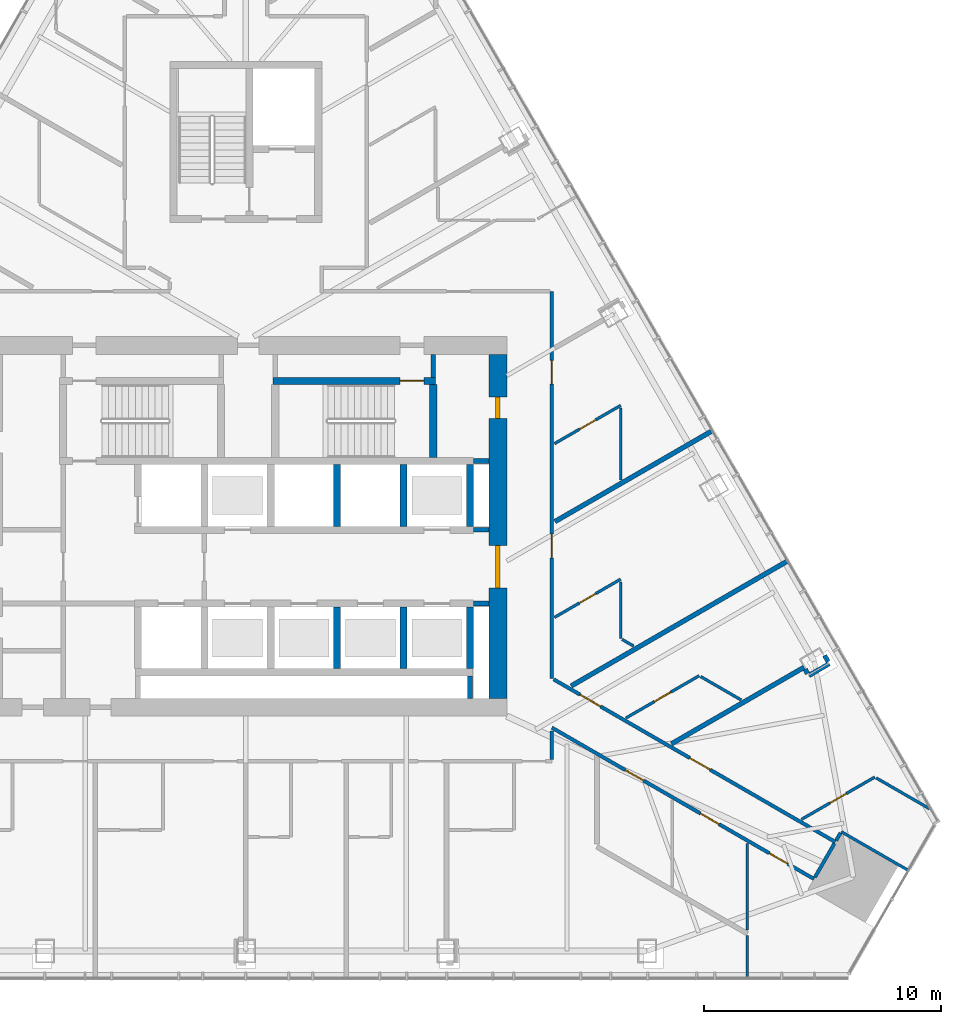
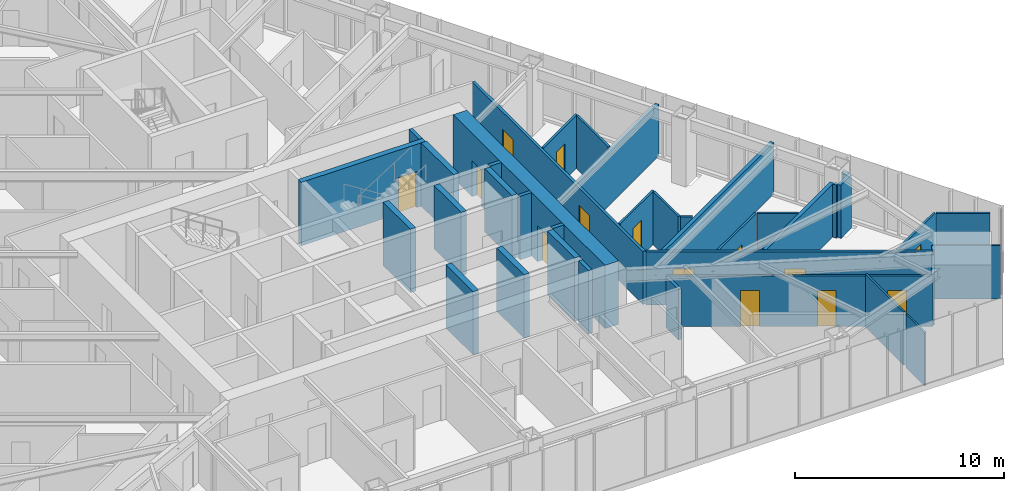
# One storey, part 15 of 19: 38 walls, 14 doors, 14 openings.
"""IFC4 building model written with IfcOpenShell, lengths in metres."""

from ifc_helpers import new_model, si_unit, direction, frame, frame_2d, origin, place, context, subcontext, project, spatial, rectangle, extrude, material, layer, layer_set, type_object, element, fill, save


model = new_model("IFC4")

# Units and contexts
model_context = context("Model", 3, precision=1e-05, world=origin(), true_north=direction((0.0, 1.0)))
body_context = subcontext(model_context, "Body", "Model", "MODEL_VIEW")
ifc_project = project(units=[si_unit("LENGTHUNIT", "METRE"), si_unit("AREAUNIT", "SQUARE_METRE"), si_unit("VOLUMEUNIT", "CUBIC_METRE"), si_unit("PLANEANGLEUNIT", "RADIAN"), si_unit("MASSUNIT", "GRAM", prefix="KILO")], contexts=[model_context])

# Site, building, storey
site_placement = place(None, origin())
site = spatial("IfcSite", under=ifc_project, at=site_placement, CompositionType="ELEMENT")
building_placement = place(site_placement, origin())
building = spatial("IfcBuilding", under=site, at=building_placement, Name="Firuza Gate Tower and Library", CompositionType="ELEMENT")
storey_placement = place(building_placement, frame((0.0, 0.0, 210.39990234375)))
storey = spatial("IfcBuildingStorey", under=building, at=storey_placement, Name="L49", CompositionType="ELEMENT", Elevation=210.39990234375)

# Walls
ifc_material_1 = material(Name="Plasterboard on steel studs", Category="steel")
ifc_layer_1 = layer(ifc_material_1, 0.199951171875)
ifc_layer_set_1 = layer_set([ifc_layer_1], Name="Core partition 200 EI 120")
wall_type_1 = type_object("IfcWallType", Name="Core partition 200 EI 120", PredefinedType="PARTITIONING", material=ifc_layer_set_1)
for number, where, z_axis, x_axis, name in (
    (1, (84.60009765625, 71.75, 0.0), (0.0, 0.0, 1.0), (1.0, 0.0, 0.0), "Core partition L49 3"),
    (2, (84.60009765625, 74.85009765625, 0.0), (0.0, 0.0, 1.0), (1.0, 0.0, 0.0), "Core partition L49 5"),
    (3, (84.60009765625, 77.75, 0.0), (0.0, 0.0, 1.0), (1.0, 0.0, 0.0), "Core partition L49 6"),
):
    element("IfcWall", number, at=place(storey_placement, frame(where, z_axis=z_axis, x_axis=x_axis)), inside=storey, type_object=wall_type_1, Name=name, PredefinedType="PARTITIONING", context=body_context, shape_type="SweptSolid", body=[
        extrude(rectangle(XDim=0.64990234375, YDim=0.199951171875, at=frame_2d((0.324951171875, 0.0))), origin(), (0.0, 0.0, 1.0), 3.7001953125),
    ])
wall_1_placement = place(storey_placement, frame((84.449951171875, 67.75, 0.0), z_axis=(0.0, 0.0, 1.0), x_axis=(0.0, 1.0, 0.0)))
element("IfcWall", 4, at=wall_1_placement, inside=storey, type_object=wall_type_1, Name="Core partition L49 15", PredefinedType="PARTITIONING", context=body_context, shape_type="SweptSolid", body=[
    extrude(rectangle(XDim=0.949951171875, YDim=0.199951171875, at=frame_2d((0.47509765625, 0.0))), origin(), (0.0, 0.0, 1.0), 3.7001953125),
])
ifc_material_2 = material(Name="Plasterboard on steel studs", Category="steel")
ifc_layer_2 = layer(ifc_material_2, 0.199951171875)
ifc_layer_set_2 = layer_set([ifc_layer_2], Name="Core partition 200 EI 60")
wall_type_2 = type_object("IfcWallType", Name="Core partition 200 EI 60", PredefinedType="PARTITIONING", material=ifc_layer_set_2)
wall_2_placement = place(storey_placement, frame((82.89990234375, 81.280029296875, 0.0), z_axis=(0.0, 0.0, 1.0), x_axis=(0.0, 1.0, 0.0)))
element("IfcWall", 5, at=wall_2_placement, inside=storey, type_object=wall_type_2, Name="Core partition L49 14", PredefinedType="PARTITIONING", context=body_context, shape_type="SweptSolid", body=[
    extrude(rectangle(XDim=0.969970703125, YDim=0.199951171875, at=frame_2d((0.48486328125, 0.0))), origin(), (0.0, 0.0, 1.0), 3.7001953125),
])
ifc_material_3 = material(Name="Concrete C80/95", Category="concrete")
ifc_layer_3 = layer(ifc_material_3, 0.300048828125)
ifc_layer_set_3 = layer_set([ifc_layer_3], Name="Core wall 300 C80/95")
wall_type_3 = type_object("IfcWallType", Name="Core wall 300 C80/95", PredefinedType="SHEAR", material=ifc_layer_set_3)
for number, where, z_axis, x_axis, name in (
    (6, (78.85009765625, 69.0, 0.0), (0.0, 0.0, 1.0), (0.0, 1.0, 0.0), "Core wall L49 14"),
    (7, (78.85009765625, 75.0, 0.0), (0.0, 0.0, 1.0), (0.0, 1.0, 0.0), "Core wall L49 15"),
    (8, (81.64990234375, 69.0, 0.0), (0.0, 0.0, 1.0), (0.0, 1.0, 0.0), "Core wall L49 16"),
    (9, (81.64990234375, 75.0, 0.0), (0.0, 0.0, 1.0), (0.0, 1.0, 0.0), "Core wall L49 17"),
    (10, (84.449951171875, 69.0, 0.0), (0.0, 0.0, 1.0), (0.0, 1.0, 0.0), "Core wall L49 18"),
    (11, (84.449951171875, 75.0, 0.0), (0.0, 0.0, 1.0), (0.0, 1.0, 0.0), "Core wall L49 19"),
):
    element("IfcWall", number, at=place(storey_placement, frame(where, z_axis=z_axis, x_axis=x_axis)), inside=storey, type_object=wall_type_3, Name=name, PredefinedType="SHEAR", context=body_context, shape_type="SweptSolid", body=[
        extrude(rectangle(XDim=2.60009765625, YDim=0.300048828125, at=frame_2d((1.300048828125, 0.0))), origin(), (0.0, 0.0, 1.0), 3.7001953125),
    ])

# Wall, opening, door
wall_3_placement = place(storey_placement, frame((76.139892578125, 81.1298828125, 0.0), z_axis=(0.0, 0.0, 1.0), x_axis=(1.0, 0.0, 0.0)))
wall_3 = element("IfcWall", 12, at=wall_3_placement, inside=storey, type_object=wall_type_3, Name="Core wall L49 22", PredefinedType="SHEAR", context=body_context, shape_type="SweptSolid", body=[
    extrude(rectangle(XDim=6.860107421875, YDim=0.300048828125, at=frame_2d((3.43017578125, 0.0))), origin(), (0.0, 0.0, 1.0), 3.7001953125),
])
opening_1_placement = place(wall_3_placement, frame((5.364990234375, 0.0, 0.0)))
opening_1 = element("IfcOpeningElement", 13, at=opening_1_placement, cuts=wall_3, Name="Opening L49-K13", PredefinedType="OPENING", context=body_context, shape_type="SweptSolid", body=[
    extrude(rectangle(XDim=1.0, YDim=2.10009765625, at=frame_2d((0.5, 1.050048828125))), frame((0.0, 0.16015625, 0.0), z_axis=(0.0, -1.0, 0.0), x_axis=(1.0, 0.0, 0.0)), (0.0, 0.0, 1.0), 0.320068359375),
])
ifc_material_4 = material(Name="Steel", Category="steel")
door_type_1 = type_object("IfcDoorType", Name="Fire door 1000x2100 FD90", OperationType="NOTDEFINED", PredefinedType="DOOR", material=ifc_material_4)
door_1_placement = place(opening_1_placement, origin())
door_1 = element("IfcDoor", 14, at=door_1_placement, inside=storey, type_object=door_type_1, Name="Door L49-K13", OperationType="SINGLE_SWING_RIGHT", OverallHeight=2.10009765625, OverallWidth=1.0, PredefinedType="DOOR", context=body_context, shape_type="SweptSolid", body=[
    extrude(rectangle(XDim=1.0, YDim=2.10009765625, at=frame_2d((0.5, 1.050048828125))), frame((0.0, 0.02490234375, 0.0), z_axis=(0.0, -1.0, 0.0), x_axis=(1.0, 0.0, 0.0)), (0.0, 0.0, 1.0), 0.050048828125),
])
fill(opening_1, door_1)

# Wall
wall_4_placement = place(storey_placement, frame((82.89990234375, 77.89990234375, 0.0), z_axis=(0.0, 0.0, 1.0), x_axis=(0.0, 1.0, 0.0)))
element("IfcWall", 15, at=wall_4_placement, inside=storey, type_object=wall_type_3, Name="Core wall L49 26", PredefinedType="SHEAR", context=body_context, shape_type="SweptSolid", body=[
    extrude(rectangle(XDim=3.080078125, YDim=0.300048828125, at=frame_2d((1.5400390625, 0.0))), origin(), (0.0, 0.0, 1.0), 3.7001953125),
])

# Wall, openings, doors
ifc_material_5 = material(Name="Concrete C80/95", Category="concrete")
ifc_layer_4 = layer(ifc_material_5, 0.75)
ifc_layer_set_4 = layer_set([ifc_layer_4], Name="Core wall 750 C80/95")
wall_type_4 = type_object("IfcWallType", Name="Core wall 750 C80/95", PredefinedType="SHEAR", material=ifc_layer_set_4)
wall_5_placement = place(storey_placement, frame((85.625, 67.75, 0.0), z_axis=(0.0, 0.0, 1.0), x_axis=(0.0, 1.0, 0.0)))
wall_5 = element("IfcWall", 16, at=wall_5_placement, inside=storey, type_object=wall_type_4, Name="Core wall L49 4", PredefinedType="SHEAR", context=body_context, shape_type="SweptSolid", body=[
    extrude(rectangle(XDim=14.5, YDim=0.75, at=frame_2d((7.25, 0.0))), origin(), (0.0, 0.0, 1.0), 3.7001953125),
])
opening_2_placement = place(wall_5_placement, frame((4.64990234375, 0.0, 0.0)))
opening_2 = element("IfcOpeningElement", 17, at=opening_2_placement, cuts=wall_5, Name="Opening L49-K21", PredefinedType="OPENING", context=body_context, shape_type="SweptSolid", body=[
    extrude(rectangle(XDim=1.800048828125, YDim=2.10009765625, at=frame_2d((0.89990234375, 1.050048828125))), frame((0.0, 0.385009765625, 0.0), z_axis=(0.0, -1.0, 0.0), x_axis=(1.0, 0.0, 0.0)), (0.0, 0.0, 1.0), 0.77001953125),
])
opening_3_placement = place(wall_5_placement, frame((11.800048828125, 0.0, 0.0)))
opening_3 = element("IfcOpeningElement", 18, at=opening_3_placement, cuts=wall_5, Name="Opening L49-K27", PredefinedType="OPENING", context=body_context, shape_type="SweptSolid", body=[
    extrude(rectangle(XDim=0.89990234375, YDim=2.10009765625, at=frame_2d((0.449951171875, 1.050048828125))), frame((0.0, 0.385009765625, 0.0), z_axis=(0.0, -1.0, 0.0), x_axis=(1.0, 0.0, 0.0)), (0.0, 0.0, 1.0), 0.77001953125),
])
ifc_material_6 = material(Name="Steel", Category="steel")
door_type_2 = type_object("IfcDoorType", Name="Fire door 1800x2100 FD30S", OperationType="NOTDEFINED", PredefinedType="DOOR", material=ifc_material_6)
door_2_placement = place(opening_2_placement, origin())
door_2 = element("IfcDoor", 19, at=door_2_placement, inside=storey, type_object=door_type_2, Name="Door L49-K21", OperationType="SINGLE_SWING_RIGHT", OverallHeight=2.10009765625, OverallWidth=1.800048828125, PredefinedType="DOOR", context=body_context, shape_type="SweptSolid", body=[
    extrude(rectangle(XDim=1.800048828125, YDim=2.10009765625, at=frame_2d((0.89990234375, 1.050048828125))), frame((0.0, 0.094970703125, 0.0), z_axis=(0.0, -1.0, 0.0), x_axis=(1.0, 0.0, 0.0)), (0.0, 0.0, 1.0), 0.18994140625),
])
fill(opening_2, door_2)
ifc_material_7 = material(Name="Steel", Category="steel")
door_type_3 = type_object("IfcDoorType", Name="Fire door 900x2100 FD30S", OperationType="NOTDEFINED", PredefinedType="DOOR", material=ifc_material_7)
door_3_placement = place(opening_3_placement, origin())
door_3 = element("IfcDoor", 20, at=door_3_placement, inside=storey, type_object=door_type_3, Name="Door L49-K27", OperationType="SINGLE_SWING_RIGHT", OverallHeight=2.10009765625, OverallWidth=0.89990234375, PredefinedType="DOOR", context=body_context, shape_type="SweptSolid", body=[
    extrude(rectangle(XDim=0.89990234375, YDim=2.10009765625, at=frame_2d((0.449951171875, 1.050048828125))), frame((0.0, 0.094970703125, 0.0), z_axis=(0.0, -1.0, 0.0), x_axis=(1.0, 0.0, 0.0)), (0.0, 0.0, 1.0), 0.18994140625),
])
fill(opening_3, door_3)

# Walls
ifc_material_8 = material(Name="Gypsum board partition")
ifc_layer_5 = layer(ifc_material_8, 0.14990234375)
ifc_layer_set_5 = layer_set([ifc_layer_5], Name="Corridor wall 150 double board on steel studs")
wall_type_5 = type_object("IfcWallType", Name="Corridor wall 150 double board on steel studs", PredefinedType="PARTITIONING", material=ifc_layer_set_5)
wall_6_placement = place(storey_placement, frame((98.98388671875, 60.200927734375, 0.0), z_axis=(0.0, 0.0, 1.0), x_axis=(0.499991515992, 0.866030301974, 0.0)))
element("IfcWall", 21, at=wall_6_placement, inside=storey, type_object=wall_type_5, Name="f:L49:w043", PredefinedType="PARTITIONING", context=body_context, shape_type="SweptSolid", body=[
    extrude(rectangle(XDim=1.6494140625, YDim=0.14990234375, at=frame_2d((0.82470703125, 0.0))), origin(), (0.0, 0.0, 1.0), 2.947021484375),
])
wall_7_placement = place(storey_placement, frame((87.89990234375, 65.175537109375, 0.0), z_axis=(0.0, 0.0, 1.0), x_axis=(0.0, 1.0, 0.0)))
element("IfcWall", 22, at=wall_7_placement, inside=storey, type_object=wall_type_5, Name="f:L49:w054", PredefinedType="PARTITIONING", context=body_context, shape_type="SweptSolid", body=[
    extrude(rectangle(XDim=1.20068359375, YDim=0.14990234375, at=frame_2d((0.600341796875, 0.0))), origin(), (0.0, 0.0, 1.0), 2.947021484375),
])

# Wall, openings, doors
wall_8_placement = place(storey_placement, frame((87.89990234375, 84.89990234375, 0.0), z_axis=(0.0, 0.0, 1.0), x_axis=(0.0, -1.0, 0.0)))
wall_8 = element("IfcWall", 23, at=wall_8_placement, inside=storey, type_object=wall_type_5, Name="f:L49:w055", PredefinedType="PARTITIONING", context=body_context, shape_type="SweptSolid", body=[
    extrude(rectangle(XDim=16.30859375, YDim=0.14990234375, at=frame_2d((8.154296875, 0.0))), origin(), (0.0, 0.0, 1.0), 3.10009765625),
])
opening_4_placement = place(wall_8_placement, frame((2.90380859375, 0.0, 0.0)))
opening_4 = element("IfcOpeningElement", 24, at=opening_4_placement, cuts=wall_8, Name="Opening L49-30", PredefinedType="OPENING", context=body_context, shape_type="SweptSolid", body=[
    extrude(rectangle(XDim=1.0, YDim=2.10009765625, at=frame_2d((0.5, 1.050048828125))), frame((0.0, 0.0849609375, 0.0), z_axis=(0.0, -1.0, 0.0), x_axis=(1.0, 0.0, 0.0)), (0.0, 0.0, 1.0), 0.169921875),
])
opening_5_placement = place(wall_8_placement, frame((10.2265625, 0.0, 0.0)))
opening_5 = element("IfcOpeningElement", 25, at=opening_5_placement, cuts=wall_8, Name="Opening L49-31", PredefinedType="OPENING", context=body_context, shape_type="SweptSolid", body=[
    extrude(rectangle(XDim=1.0, YDim=2.10009765625, at=frame_2d((0.5, 1.050048828125))), frame((0.0, 0.0849609375, 0.0), z_axis=(0.0, -1.0, 0.0), x_axis=(1.0, 0.0, 0.0)), (0.0, 0.0, 1.0), 0.169921875),
])
ifc_material_9 = material(Name="Steel door and timber leaf", Category="steel")
door_type_4 = type_object("IfcDoorType", Name="Fire door 1000 x 2100 steel frame, timber leaf", OperationType="NOTDEFINED", PredefinedType="DOOR", material=ifc_material_9)
door_4_placement = place(opening_4_placement, origin())
door_4 = element("IfcDoor", 26, at=door_4_placement, inside=storey, type_object=door_type_4, Name="f:L49:d030", OperationType="SINGLE_SWING_LEFT", OverallHeight=2.10009765625, OverallWidth=1.0, PredefinedType="DOOR", context=body_context, shape_type="SweptSolid", body=[
    extrude(rectangle(XDim=1.0, YDim=2.10009765625, at=frame_2d((0.5, 1.050048828125))), frame((0.0, 0.02490234375, 0.0), z_axis=(0.0, -1.0, 0.0), x_axis=(1.0, 0.0, 0.0)), (0.0, 0.0, 1.0), 0.050048828125),
])
fill(opening_4, door_4)
door_5_placement = place(opening_5_placement, origin())
door_5 = element("IfcDoor", 27, at=door_5_placement, inside=storey, type_object=door_type_4, Name="f:L49:d031", OperationType="SINGLE_SWING_LEFT", OverallHeight=2.10009765625, OverallWidth=1.0, PredefinedType="DOOR", context=body_context, shape_type="SweptSolid", body=[
    extrude(rectangle(XDim=1.0, YDim=2.10009765625, at=frame_2d((0.5, 1.050048828125))), frame((0.0, 0.02490234375, 0.0), z_axis=(0.0, -1.0, 0.0), x_axis=(1.0, 0.0, 0.0)), (0.0, 0.0, 1.0), 0.050048828125),
])
fill(opening_5, door_5)

wall_9_placement = place(storey_placement, frame((87.97509765625, 68.548095703125, 0.0), z_axis=(0.0, 0.0, 1.0), x_axis=(0.866024823711, -0.500001004715, 0.0)))
wall_9 = element("IfcWall", 28, at=wall_9_placement, inside=storey, type_object=wall_type_5, Name="f:L49:w107", PredefinedType="PARTITIONING", context=body_context, shape_type="SweptSolid", body=[
    extrude(rectangle(XDim=13.70703125, YDim=0.14990234375, at=frame_2d((6.853515625, 0.0))), origin(), (0.0, 0.0, 1.0), 3.10009765625),
])
opening_6_placement = place(wall_9_placement, frame((1.28271484375, 0.0, 0.0)))
opening_6 = element("IfcOpeningElement", 29, at=opening_6_placement, cuts=wall_9, Name="Opening L49-43", PredefinedType="OPENING", context=body_context, shape_type="SweptSolid", body=[
    extrude(rectangle(XDim=1.0, YDim=2.10009765625, at=frame_2d((0.5, 1.050048828125))), frame((0.0, 0.0849609375, 0.0), z_axis=(0.0, -1.0, 0.0), x_axis=(1.0, 0.0, 0.0)), (0.0, 0.0, 1.0), 0.169921875),
])
opening_7_placement = place(wall_9_placement, frame((6.620361328125, 0.0, 0.0)))
opening_7 = element("IfcOpeningElement", 30, at=opening_7_placement, cuts=wall_9, Name="Opening L49-44", PredefinedType="OPENING", context=body_context, shape_type="SweptSolid", body=[
    extrude(rectangle(XDim=1.0, YDim=2.10009765625, at=frame_2d((0.5, 1.050048828125))), frame((0.0, 0.0849609375, 0.0), z_axis=(0.0, -1.0, 0.0), x_axis=(1.0, 0.0, 0.0)), (0.0, 0.0, 1.0), 0.169921875),
])
door_6_placement = place(opening_6_placement, origin())
door_6 = element("IfcDoor", 31, at=door_6_placement, inside=storey, type_object=door_type_4, Name="f:L49:d043", OperationType="SINGLE_SWING_LEFT", OverallHeight=2.10009765625, OverallWidth=1.0, PredefinedType="DOOR", context=body_context, shape_type="SweptSolid", body=[
    extrude(rectangle(XDim=1.0, YDim=2.10009765625, at=frame_2d((0.5, 1.050048828125))), frame((0.0, 0.02490234375, 0.0), z_axis=(0.0, -1.0, 0.0), x_axis=(1.0, 0.0, 0.0)), (0.0, 0.0, 1.0), 0.050048828125),
])
fill(opening_6, door_6)
door_7_placement = place(opening_7_placement, origin())
door_7 = element("IfcDoor", 32, at=door_7_placement, inside=storey, type_object=door_type_4, Name="f:L49:d044", OperationType="SINGLE_SWING_LEFT", OverallHeight=2.10009765625, OverallWidth=1.0, PredefinedType="DOOR", context=body_context, shape_type="SweptSolid", body=[
    extrude(rectangle(XDim=1.0, YDim=2.10009765625, at=frame_2d((0.5, 1.050048828125))), frame((0.0, 0.02490234375, 0.0), z_axis=(0.0, -1.0, 0.0), x_axis=(1.0, 0.0, 0.0)), (0.0, 0.0, 1.0), 0.050048828125),
])
fill(opening_7, door_7)

wall_10_placement = place(storey_placement, frame((98.9453125, 60.135986328125, 0.0), z_axis=(0.0, 0.0, 1.0), x_axis=(-0.866024604137, 0.500001385028, 0.0)))
wall_10 = element("IfcWall", 33, at=wall_10_placement, inside=storey, type_object=wall_type_5, Name="f:L49:w108", PredefinedType="PARTITIONING", context=body_context, shape_type="SweptSolid", body=[
    extrude(rectangle(XDim=12.75390625, YDim=0.14990234375, at=frame_2d((6.376953125, 0.0))), origin(), (0.0, 0.0, 1.0), 2.947021484375),
])
opening_8_placement = place(wall_10_placement, frame((1.271484375, 0.0, 0.0)))
opening_8 = element("IfcOpeningElement", 34, at=opening_8_placement, cuts=wall_10, Name="Opening L49-45", PredefinedType="OPENING", context=body_context, shape_type="SweptSolid", body=[
    extrude(rectangle(XDim=0.89990234375, YDim=2.10009765625, at=frame_2d((0.449951171875, 1.050048828125))), frame((0.0, 0.0849609375, 0.0), z_axis=(0.0, -1.0, 0.0), x_axis=(1.0, 0.0, 0.0)), (0.0, 0.0, 1.0), 0.169921875),
])
opening_9_placement = place(wall_10_placement, frame((4.62060546875, 0.0, 0.0)))
opening_9 = element("IfcOpeningElement", 35, at=opening_9_placement, cuts=wall_10, Name="Opening L49-46", PredefinedType="OPENING", context=body_context, shape_type="SweptSolid", body=[
    extrude(rectangle(XDim=0.89990234375, YDim=2.10009765625, at=frame_2d((0.449951171875, 1.050048828125))), frame((0.0, 0.0849609375, 0.0), z_axis=(0.0, -1.0, 0.0), x_axis=(1.0, 0.0, 0.0)), (0.0, 0.0, 1.0), 0.169921875),
])
opening_10_placement = place(wall_10_placement, frame((8.281982421875, 0.0, 0.0)))
opening_10 = element("IfcOpeningElement", 36, at=opening_10_placement, cuts=wall_10, Name="Opening L49-47", PredefinedType="OPENING", context=body_context, shape_type="SweptSolid", body=[
    extrude(rectangle(XDim=0.89990234375, YDim=2.10009765625, at=frame_2d((0.449951171875, 1.050048828125))), frame((0.0, 0.0849609375, 0.0), z_axis=(0.0, -1.0, 0.0), x_axis=(1.0, 0.0, 0.0)), (0.0, 0.0, 1.0), 0.169921875),
])
ifc_material_10 = material(Name="Steel door and timber leaf", Category="steel")
door_type_5 = type_object("IfcDoorType", Name="Fire door 900 x 2100 steel frame, timber leaf", OperationType="NOTDEFINED", PredefinedType="DOOR", material=ifc_material_10)
door_8_placement = place(opening_8_placement, origin())
door_8 = element("IfcDoor", 37, at=door_8_placement, inside=storey, type_object=door_type_5, Name="f:L49:d045", OperationType="SINGLE_SWING_LEFT", OverallHeight=2.10009765625, OverallWidth=0.89990234375, PredefinedType="DOOR", context=body_context, shape_type="SweptSolid", body=[
    extrude(rectangle(XDim=0.89990234375, YDim=2.10009765625, at=frame_2d((0.449951171875, 1.050048828125))), frame((0.0, 0.02490234375, 0.0), z_axis=(0.0, -1.0, 0.0), x_axis=(1.0, 0.0, 0.0)), (0.0, 0.0, 1.0), 0.050048828125),
])
fill(opening_8, door_8)
door_9_placement = place(opening_9_placement, origin())
door_9 = element("IfcDoor", 38, at=door_9_placement, inside=storey, type_object=door_type_5, Name="f:L49:d046", OperationType="SINGLE_SWING_RIGHT", OverallHeight=2.10009765625, OverallWidth=0.89990234375, PredefinedType="DOOR", context=body_context, shape_type="SweptSolid", body=[
    extrude(rectangle(XDim=0.89990234375, YDim=2.10009765625, at=frame_2d((0.449951171875, 1.050048828125))), frame((0.0, 0.02490234375, 0.0), z_axis=(0.0, -1.0, 0.0), x_axis=(1.0, 0.0, 0.0)), (0.0, 0.0, 1.0), 0.050048828125),
])
fill(opening_9, door_9)
door_10_placement = place(opening_10_placement, origin())
door_10 = element("IfcDoor", 39, at=door_10_placement, inside=storey, type_object=door_type_5, Name="f:L49:d047", OperationType="SINGLE_SWING_LEFT", OverallHeight=2.10009765625, OverallWidth=0.89990234375, PredefinedType="DOOR", context=body_context, shape_type="SweptSolid", body=[
    extrude(rectangle(XDim=0.89990234375, YDim=2.10009765625, at=frame_2d((0.449951171875, 1.050048828125))), frame((0.0, 0.02490234375, 0.0), z_axis=(0.0, -1.0, 0.0), x_axis=(1.0, 0.0, 0.0)), (0.0, 0.0, 1.0), 0.050048828125),
])
fill(opening_10, door_10)

# Walls
wall_11_placement = place(storey_placement, frame((99.883544921875, 61.759521484375, 0.0), z_axis=(0.0, 0.0, 1.0), x_axis=(0.500031897912, 0.866006986733, 0.0)))
element("IfcWall", 40, at=wall_11_placement, inside=storey, type_object=wall_type_5, Name="f:L49:w122", PredefinedType="PARTITIONING", context=body_context, shape_type="SweptSolid", body=[
    extrude(rectangle(XDim=0.3642578125, YDim=0.14990234375, at=frame_2d((0.18212890625, 0.0))), origin(), (0.0, 0.0, 1.0), 3.10009765625),
])
ifc_material_11 = material(Name="Gypsum board partition")
ifc_layer_6 = layer(ifc_material_11, 0.199951171875)
ifc_layer_set_6 = layer_set([ifc_layer_6], Name="Demising wall 200 acoustic double stud")
wall_type_6 = type_object("IfcWallType", Name="Demising wall 200 acoustic double stud", PredefinedType="PARTITIONING", material=ifc_layer_set_6)
wall_12_placement = place(storey_placement, frame((98.72705078125, 68.7099609375, 0.0), z_axis=(0.0, 0.0, 1.0), x_axis=(0.866083827272, 0.499898793895, 0.0)))
element("IfcWall", 41, at=wall_12_placement, inside=storey, type_object=wall_type_6, Name="f:L49:w019", PredefinedType="PARTITIONING", context=body_context, shape_type="SweptSolid", body=[
    extrude(rectangle(XDim=0.998779296875, YDim=0.199951171875, at=frame_2d((0.49951171875, 0.0))), origin(), (0.0, 0.0, 1.0), 3.10009765625),
])
wall_13_placement = place(storey_placement, frame((92.93798828125, 65.82958984375, 0.0), z_axis=(0.0, 0.0, 1.0), x_axis=(0.866041300655, 0.499972464802, 0.0)))
element("IfcWall", 42, at=wall_13_placement, inside=storey, type_object=wall_type_6, Name="f:L49:w020", PredefinedType="PARTITIONING", context=body_context, shape_type="SweptSolid", body=[
    extrude(rectangle(XDim=6.452392578125, YDim=0.199951171875, at=frame_2d((3.22607421875, 0.0))), origin(), (0.0, 0.0, 1.0), 3.10009765625),
])
wall_14_placement = place(storey_placement, frame((88.710693359375, 68.269775390625, 0.0), z_axis=(0.0, 0.0, 1.0), x_axis=(0.86602828922, 0.499995002246, 0.0)))
element("IfcWall", 43, at=wall_14_placement, inside=storey, type_object=wall_type_6, Name="f:L49:w022", PredefinedType="PARTITIONING", context=body_context, shape_type="SweptSolid", body=[
    extrude(rectangle(XDim=10.49365234375, YDim=0.199951171875, at=frame_2d((5.246826171875, 0.0))), origin(), (0.0, 0.0, 1.0), 3.022216796875),
])
wall_15_placement = place(storey_placement, frame((88.027099609375, 75.1982421875, 0.0), z_axis=(0.0, 0.0, 1.0), x_axis=(0.866028758719, 0.499994189038, 0.0)))
element("IfcWall", 44, at=wall_15_placement, inside=storey, type_object=wall_type_6, Name="f:L49:w024", PredefinedType="PARTITIONING", context=body_context, shape_type="SweptSolid", body=[
    extrude(rectangle(XDim=7.62158203125, YDim=0.199951171875, at=frame_2d((3.810791015625, 0.0))), origin(), (0.0, 0.0, 1.0), 3.022216796875),
])
wall_16_placement = place(storey_placement, frame((99.5419921875, 69.296142578125, 0.0), z_axis=(0.0, 0.0, 1.0), x_axis=(-0.500005339912, 0.866022320763, 0.0)))
element("IfcWall", 45, at=wall_16_placement, inside=storey, type_object=wall_type_6, Name="f:L49:w087", PredefinedType="PARTITIONING", context=body_context, shape_type="SweptSolid", body=[
    extrude(rectangle(XDim=0.298828125, YDim=0.199951171875, at=frame_2d((0.1494140625, 0.0))), origin(), (0.0, 0.0, 1.0), 3.10009765625),
])
wall_17_placement = place(storey_placement, frame((98.676025390625, 68.796142578125, 0.0), z_axis=(0.0, 0.0, 1.0), x_axis=(-0.4999705729, 0.866042392862, 0.0)))
element("IfcWall", 46, at=wall_17_placement, inside=storey, type_object=wall_type_6, Name="f:L49:w090", PredefinedType="PARTITIONING", context=body_context, shape_type="SweptSolid", body=[
    extrude(rectangle(XDim=0.19873046875, YDim=0.199951171875, at=frame_2d((0.099365234375, 0.0))), origin(), (0.0, 0.0, 1.0), 3.10009765625),
])
ifc_material_12 = material(Name="Gypsum board partition")
ifc_layer_7 = layer(ifc_material_12, 0.10009765625)
ifc_layer_set_7 = layer_set([ifc_layer_7], Name="Partition 100 gypsum board on steel studs")
wall_type_7 = type_object("IfcWallType", Name="Partition 100 gypsum board on steel studs", PredefinedType="PARTITIONING", material=ifc_layer_set_7)
wall_18_placement = place(storey_placement, frame((96.138916015625, 55.99755859375, 0.0), z_axis=(0.0, 0.0, 1.0), x_axis=(0.0, 1.0, 0.0)))
element("IfcWall", 47, at=wall_18_placement, inside=storey, type_object=wall_type_7, Name="f:L49:w049", PredefinedType="PARTITIONING", context=body_context, shape_type="SweptSolid", body=[
    extrude(rectangle(XDim=1.74609375, YDim=0.10009765625, at=frame_2d((0.873046875, 0.0))), origin(), (0.0, 0.0, 1.0), 3.10009765625),
])
wall_19_placement = place(storey_placement, frame((96.138916015625, 57.974609375, 0.0), z_axis=(0.0, 0.0, 1.0), x_axis=(0.0, 1.0, 0.0)))
element("IfcWall", 48, at=wall_19_placement, inside=storey, type_object=wall_type_7, Name="f:L49:w123", PredefinedType="PARTITIONING", context=body_context, shape_type="SweptSolid", body=[
    extrude(rectangle(XDim=3.664794921875, YDim=0.10009765625, at=frame_2d((1.83251953125, 0.0))), origin(), (0.0, 0.0, 1.0), 3.10009765625),
])

# Wall, opening, door
ifc_material_13 = material(Name="Gypsum board partition")
ifc_layer_8 = layer(ifc_material_13, 0.1201171875)
ifc_layer_set_8 = layer_set([ifc_layer_8], Name="Wet-area partition 120 moisture-resistant board")
wall_type_8 = type_object("IfcWallType", Name="Wet-area partition 120 moisture-resistant board", PredefinedType="PARTITIONING", material=ifc_layer_set_8)
wall_20_placement = place(storey_placement, frame((101.509033203125, 64.429443359375, 0.0), z_axis=(0.0, 0.0, 1.0), x_axis=(-0.866028357664, -0.499994883695, 0.0)))
wall_20 = element("IfcWall", 49, at=wall_20_placement, inside=storey, type_object=wall_type_8, Name="f:L49:w018", PredefinedType="PARTITIONING", context=body_context, shape_type="SweptSolid", body=[
    extrude(rectangle(XDim=3.568359375, YDim=0.1201171875, at=frame_2d((1.7841796875, 0.0))), origin(), (0.0, 0.0, 1.0), 3.10009765625),
])
opening_11_placement = place(wall_20_placement, frame((1.38427734375, 0.0, 0.0)))
opening_11 = element("IfcOpeningElement", 50, at=opening_11_placement, cuts=wall_20, Name="Opening L49-16", PredefinedType="OPENING", context=body_context, shape_type="SweptSolid", body=[
    extrude(rectangle(XDim=0.800048828125, YDim=2.10009765625, at=frame_2d((0.39990234375, 1.050048828125))), frame((0.0, 0.070068359375, 0.0), z_axis=(0.0, -1.0, 0.0), x_axis=(1.0, 0.0, 0.0)), (0.0, 0.0, 1.0), 0.14013671875),
])
ifc_material_14 = material(Name="Timber door", Category="wood")
door_type_6 = type_object("IfcDoorType", Name="Door 800 x 2100 timber leaf", OperationType="NOTDEFINED", PredefinedType="DOOR", material=ifc_material_14)
door_11_placement = place(opening_11_placement, origin())
door_11 = element("IfcDoor", 51, at=door_11_placement, inside=storey, type_object=door_type_6, Name="f:L49:d016", OperationType="SINGLE_SWING_RIGHT", OverallHeight=2.10009765625, OverallWidth=0.800048828125, PredefinedType="DOOR", context=body_context, shape_type="SweptSolid", body=[
    extrude(rectangle(XDim=0.800048828125, YDim=2.10009765625, at=frame_2d((0.39990234375, 1.050048828125))), frame((0.0, 0.02490234375, 0.0), z_axis=(0.0, -1.0, 0.0), x_axis=(1.0, 0.0, 0.0)), (0.0, 0.0, 1.0), 0.050048828125),
])
fill(opening_11, door_11)

wall_21_placement = place(storey_placement, frame((94.10888671875, 68.70166015625, 0.0), z_axis=(0.0, 0.0, 1.0), x_axis=(-0.866028357664, -0.499994883695, 0.0)))
wall_21 = element("IfcWall", 52, at=wall_21_placement, inside=storey, type_object=wall_type_8, Name="f:L49:w021", PredefinedType="PARTITIONING", context=body_context, shape_type="SweptSolid", body=[
    extrude(rectangle(XDim=3.568359375, YDim=0.1201171875, at=frame_2d((1.7841796875, 0.0))), origin(), (0.0, 0.0, 1.0), 3.10009765625),
])
opening_12_placement = place(wall_21_placement, frame((1.38427734375, 0.0, 0.0)))
opening_12 = element("IfcOpeningElement", 53, at=opening_12_placement, cuts=wall_21, Name="Opening L49-17", PredefinedType="OPENING", context=body_context, shape_type="SweptSolid", body=[
    extrude(rectangle(XDim=0.800048828125, YDim=2.10009765625, at=frame_2d((0.39990234375, 1.050048828125))), frame((0.0, 0.070068359375, 0.0), z_axis=(0.0, -1.0, 0.0), x_axis=(1.0, 0.0, 0.0)), (0.0, 0.0, 1.0), 0.14013671875),
])
door_12_placement = place(opening_12_placement, origin())
door_12 = element("IfcDoor", 54, at=door_12_placement, inside=storey, type_object=door_type_6, Name="f:L49:d017", OperationType="SINGLE_SWING_RIGHT", OverallHeight=2.10009765625, OverallWidth=0.800048828125, PredefinedType="DOOR", context=body_context, shape_type="SweptSolid", body=[
    extrude(rectangle(XDim=0.800048828125, YDim=2.10009765625, at=frame_2d((0.39990234375, 1.050048828125))), frame((0.0, 0.02490234375, 0.0), z_axis=(0.0, -1.0, 0.0), x_axis=(1.0, 0.0, 0.0)), (0.0, 0.0, 1.0), 0.050048828125),
])
fill(opening_12, door_12)

wall_22_placement = place(storey_placement, frame((90.800048828125, 72.771484375, 0.0), z_axis=(0.0, 0.0, 1.0), x_axis=(-0.86604299788, -0.499969524894, 0.0)))
wall_22 = element("IfcWall", 55, at=wall_22_placement, inside=storey, type_object=wall_type_8, Name="f:L49:w023", PredefinedType="PARTITIONING", context=body_context, shape_type="SweptSolid", body=[
    extrude(rectangle(XDim=3.221923828125, YDim=0.1201171875, at=frame_2d((1.61083984375, 0.0))), origin(), (0.0, 0.0, 1.0), 3.10009765625),
])
opening_13_placement = place(wall_22_placement, frame((1.2109375, 0.0, 0.0)))
opening_13 = element("IfcOpeningElement", 56, at=opening_13_placement, cuts=wall_22, Name="Opening L49-18", PredefinedType="OPENING", context=body_context, shape_type="SweptSolid", body=[
    extrude(rectangle(XDim=0.800048828125, YDim=2.10009765625, at=frame_2d((0.39990234375, 1.050048828125))), frame((0.0, 0.070068359375, 0.0), z_axis=(0.0, -1.0, 0.0), x_axis=(1.0, 0.0, 0.0)), (0.0, 0.0, 1.0), 0.14013671875),
])
door_13_placement = place(opening_13_placement, origin())
door_13 = element("IfcDoor", 57, at=door_13_placement, inside=storey, type_object=door_type_6, Name="f:L49:d018", OperationType="SINGLE_SWING_RIGHT", OverallHeight=2.10009765625, OverallWidth=0.800048828125, PredefinedType="DOOR", context=body_context, shape_type="SweptSolid", body=[
    extrude(rectangle(XDim=0.800048828125, YDim=2.10009765625, at=frame_2d((0.39990234375, 1.050048828125))), frame((0.0, 0.02490234375, 0.0), z_axis=(0.0, -1.0, 0.0), x_axis=(1.0, 0.0, 0.0)), (0.0, 0.0, 1.0), 0.050048828125),
])
fill(opening_13, door_13)

wall_23_placement = place(storey_placement, frame((90.800048828125, 80.0947265625, 0.0), z_axis=(0.0, 0.0, 1.0), x_axis=(-0.866029130051, -0.499993545862, 0.0)))
wall_23 = element("IfcWall", 58, at=wall_23_placement, inside=storey, type_object=wall_type_8, Name="f:L49:w027", PredefinedType="PARTITIONING", context=body_context, shape_type="SweptSolid", body=[
    extrude(rectangle(XDim=3.22216796875, YDim=0.1201171875, at=frame_2d((1.611083984375, 0.0))), origin(), (0.0, 0.0, 1.0), 3.10009765625),
])
opening_14_placement = place(wall_23_placement, frame((1.2109375, 0.0, 0.0)))
opening_14 = element("IfcOpeningElement", 59, at=opening_14_placement, cuts=wall_23, Name="Opening L49-20", PredefinedType="OPENING", context=body_context, shape_type="SweptSolid", body=[
    extrude(rectangle(XDim=0.800048828125, YDim=2.10009765625, at=frame_2d((0.39990234375, 1.050048828125))), frame((0.0, 0.070068359375, 0.0), z_axis=(0.0, -1.0, 0.0), x_axis=(1.0, 0.0, 0.0)), (0.0, 0.0, 1.0), 0.14013671875),
])
door_14_placement = place(opening_14_placement, origin())
door_14 = element("IfcDoor", 60, at=door_14_placement, inside=storey, type_object=door_type_6, Name="f:L49:d020", OperationType="SINGLE_SWING_RIGHT", OverallHeight=2.10009765625, OverallWidth=0.800048828125, PredefinedType="DOOR", context=body_context, shape_type="SweptSolid", body=[
    extrude(rectangle(XDim=0.800048828125, YDim=2.10009765625, at=frame_2d((0.39990234375, 1.050048828125))), frame((0.0, 0.02490234375, 0.0), z_axis=(0.0, -1.0, 0.0), x_axis=(1.0, 0.0, 0.0)), (0.0, 0.0, 1.0), 0.050048828125),
])
fill(opening_14, door_14)

# Walls
wall_24_placement = place(storey_placement, frame((90.800048828125, 70.265625, 0.0), z_axis=(0.0, 0.0, 1.0), x_axis=(0.0, 1.0, 0.0)))
element("IfcWall", 61, at=wall_24_placement, inside=storey, type_object=wall_type_8, Name="f:L49:w051", PredefinedType="PARTITIONING", context=body_context, shape_type="SweptSolid", body=[
    extrude(rectangle(XDim=2.39697265625, YDim=0.1201171875, at=frame_2d((1.198486328125, 0.0))), origin(), (0.0, 0.0, 1.0), 3.10009765625),
])
wall_25_placement = place(storey_placement, frame((90.800048828125, 76.954833984375, 0.0), z_axis=(0.0, 0.0, 1.0), x_axis=(0.0, 1.0, 0.0)))
element("IfcWall", 62, at=wall_25_placement, inside=storey, type_object=wall_type_8, Name="f:L49:w052", PredefinedType="PARTITIONING", context=body_context, shape_type="SweptSolid", body=[
    extrude(rectangle(XDim=3.030517578125, YDim=0.1201171875, at=frame_2d((1.51513671875, 0.0))), origin(), (0.0, 0.0, 1.0), 3.10009765625),
])
wall_26_placement = place(storey_placement, frame((103.813232421875, 63.09912109375, 0.0), z_axis=(0.0, 0.0, 1.0), x_axis=(-0.866025553686, 0.499999740363, 0.0)))
element("IfcWall", 63, at=wall_26_placement, inside=storey, type_object=wall_type_8, Name="f:L49:w102", PredefinedType="PARTITIONING", context=body_context, shape_type="SweptSolid", body=[
    extrude(rectangle(XDim=2.59130859375, YDim=0.1201171875, at=frame_2d((1.295654296875, 0.0))), origin(), (0.0, 0.0, 1.0), 3.10009765625),
])
wall_27_placement = place(storey_placement, frame((95.876708984375, 67.68115234375, 0.0), z_axis=(0.0, 0.0, 1.0), x_axis=(-0.866002090371, 0.500040377843, 0.0)))
element("IfcWall", 64, at=wall_27_placement, inside=storey, type_object=wall_type_8, Name="f:L49:w103", PredefinedType="PARTITIONING", context=body_context, shape_type="SweptSolid", body=[
    extrude(rectangle(XDim=1.971923828125, YDim=0.1201171875, at=frame_2d((0.98583984375, 0.0))), origin(), (0.0, 0.0, 1.0), 3.10009765625),
])
wall_28_placement = place(storey_placement, frame((91.348876953125, 69.948974609375, 0.0), z_axis=(0.0, 0.0, 1.0), x_axis=(-0.865998287773, 0.500046963369, 0.0)))
element("IfcWall", 65, at=wall_28_placement, inside=storey, type_object=wall_type_8, Name="f:L49:w104", PredefinedType="PARTITIONING", context=body_context, shape_type="SweptSolid", body=[
    extrude(rectangle(XDim=0.564453125, YDim=0.1201171875, at=frame_2d((0.2822265625, 0.0))), origin(), (0.0, 0.0, 1.0), 3.10009765625),
])
wall_29_placement = place(storey_placement, frame((102.9189453125, 60.49755859375, 0.0), z_axis=(0.0, 0.0, 1.0), x_axis=(-0.866003472149, 0.500037984783, 0.0)))
element("IfcWall", 66, at=wall_29_placement, inside=storey, type_object=wall_type_8, Name="f:L49:w105", PredefinedType="PARTITIONING", context=body_context, shape_type="SweptSolid", body=[
    extrude(rectangle(XDim=3.259521484375, YDim=0.1201171875, at=frame_2d((1.6298828125, 0.0))), origin(), (0.0, 0.0, 1.0), 3.10009765625),
])

save(model, "model.ifc")
